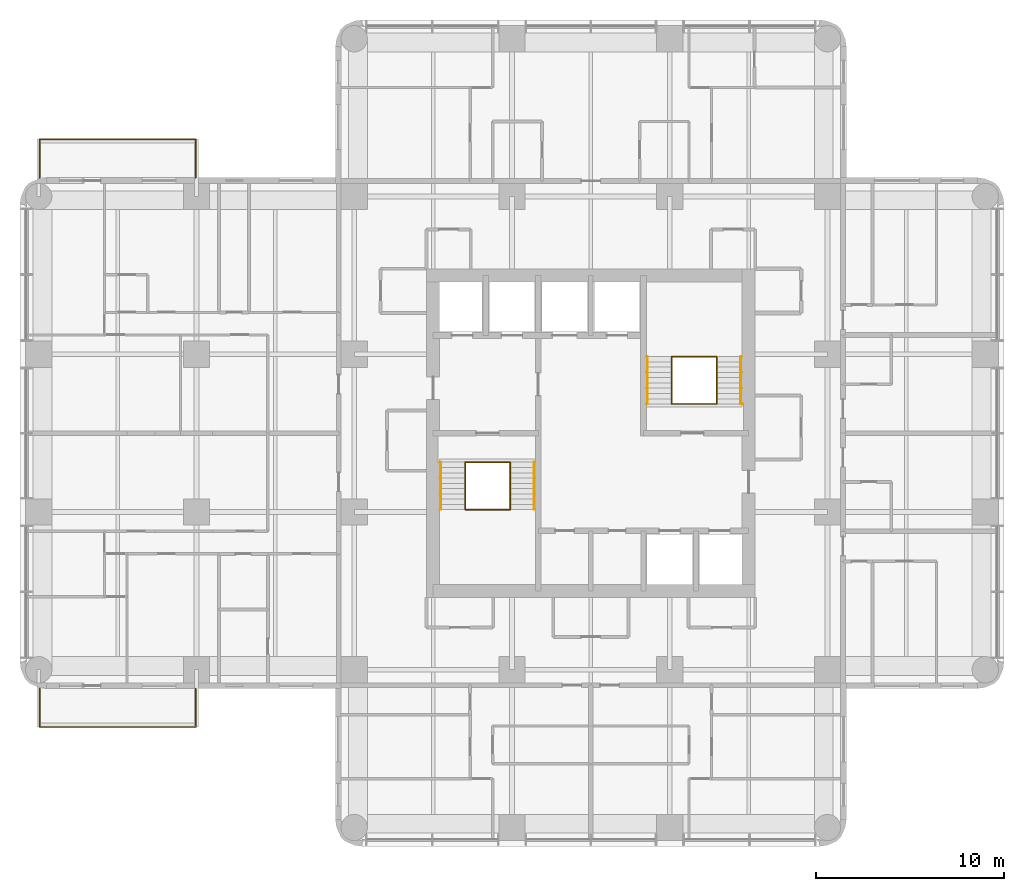
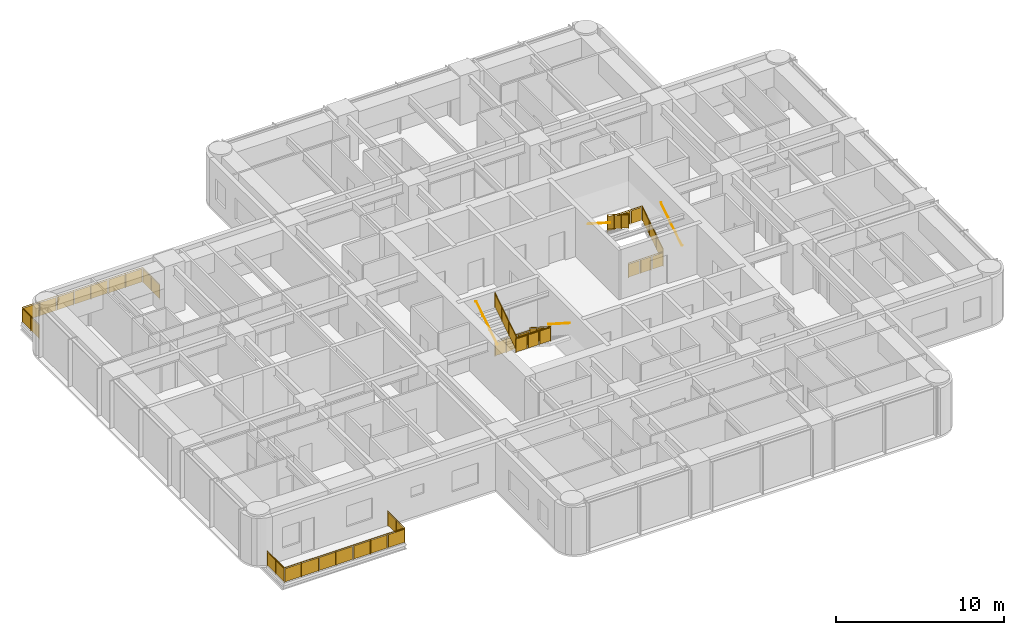
# One storey, part 11 of 11: 14 railings.
"""IFC4 building model written with IfcOpenShell, lengths in metres."""

from ifc_helpers import new_model, si_unit, direction, frame, origin, origin_2d, place, context, subcontext, project, spatial, polyline, circle, outline, extrude, material, constituent, constituent_set, type_object, element, save


model = new_model("IFC4")

# Units and contexts
model_context = context("Model", 3, precision=1e-05, world=origin(), true_north=direction((0.0, 1.0)))
body_context = subcontext(model_context, "Body", "Model", "MODEL_VIEW")
ifc_project = project(units=[si_unit("LENGTHUNIT", "METRE"), si_unit("AREAUNIT", "SQUARE_METRE"), si_unit("VOLUMEUNIT", "CUBIC_METRE"), si_unit("PLANEANGLEUNIT", "RADIAN"), si_unit("MASSUNIT", "GRAM", prefix="KILO")], contexts=[model_context])

# Site, building, storey
site_placement = place(None, origin())
site = spatial("IfcSite", under=ifc_project, at=site_placement, CompositionType="ELEMENT")
building_placement = place(site_placement, origin())
building = spatial("IfcBuilding", under=site, at=building_placement, Name="Torre Alcanfor", CompositionType="ELEMENT")
storey_placement = place(building_placement, frame((0.0, 0.0, 230.10009765625)))
storey = spatial("IfcBuildingStorey", under=building, at=storey_placement, Name="L60", CompositionType="ELEMENT", Elevation=230.10009765625)

# Railings
ifc_material_1 = material(Name="Laminated safety glass", Category="glass")
ifc_constituent_1 = constituent(ifc_material_1, Name="Infill")
ifc_material_2 = material(Name="Stainless steel ASTM A554 Grade MT 316L tube", Category="steel")
ifc_constituent_2 = constituent(ifc_material_2, Name="Posts and rail")
ifc_constituent_set = constituent_set(constituents=[ifc_constituent_1, ifc_constituent_2], Name="Balcony guard glass 1100")
railing_type_1 = type_object("IfcRailingType", Name="Balcony guard glass 1100", PredefinedType="BALUSTRADE", material=ifc_constituent_set)
railing_1_placement = place(storey_placement, frame((8.35009765625, 15.800048828125, 0.0)))
element("IfcRailing", 1, at=railing_1_placement, inside=storey, type_object=railing_type_1, Name="Balcony guard L60-W1", PredefinedType="BALUSTRADE", context=body_context, shape_type="SweptSolid", body=[
    extrude(circle(Radius=0.02392578125, at=origin_2d()), frame((0.0, 0.0, 1.076171875), z_axis=(0.0, -1.0, 0.0), x_axis=(1.0, 0.0, 0.0)), (0.0, 0.0, 1.0), 2.050048828125),
    extrude(circle(Radius=0.02392578125, at=origin_2d()), frame((0.0, -2.050048828125, 1.076171875), z_axis=(-1.0, 0.0, 0.0), x_axis=(0.0, -1.0, 0.0)), (0.0, 0.0, 1.0), 8.300048828125),
    extrude(circle(Radius=0.02392578125, at=origin_2d()), frame((-8.300048828125, -2.050048828125, 1.076171875), z_axis=(0.0, 1.0, 0.0), x_axis=(-1.0, 0.0, 0.0)), (0.0, 0.0, 1.0), 2.050048828125),
    extrude(circle(Radius=0.02099609375, at=origin_2d()), origin(), (0.0, 0.0, 1.0), 1.052001953125),
    extrude(circle(Radius=0.02099609375, at=origin_2d()), frame((0.0, -1.02490234375, 0.0)), (0.0, 0.0, 1.0), 1.052001953125),
    extrude(circle(Radius=0.02099609375, at=origin_2d()), frame((0.0, -2.050048828125, 0.0)), (0.0, 0.0, 1.0), 1.052001953125),
    extrude(circle(Radius=0.02099609375, at=origin_2d()), frame((-1.185791015625, -2.050048828125, 0.0)), (0.0, 0.0, 1.0), 1.052001953125),
    extrude(circle(Radius=0.02099609375, at=origin_2d()), frame((-2.371337890625, -2.050048828125, 0.0)), (0.0, 0.0, 1.0), 1.052001953125),
    extrude(circle(Radius=0.02099609375, at=origin_2d()), frame((-3.55712890625, -2.050048828125, 0.0)), (0.0, 0.0, 1.0), 1.052001953125),
    extrude(circle(Radius=0.02099609375, at=origin_2d()), frame((-4.742919921875, -2.050048828125, 0.0)), (0.0, 0.0, 1.0), 1.052001953125),
    extrude(circle(Radius=0.02099609375, at=origin_2d()), frame((-5.9287109375, -2.050048828125, 0.0)), (0.0, 0.0, 1.0), 1.052001953125),
    extrude(circle(Radius=0.02099609375, at=origin_2d()), frame((-7.1142578125, -2.050048828125, 0.0)), (0.0, 0.0, 1.0), 1.052001953125),
    extrude(circle(Radius=0.02099609375, at=origin_2d()), frame((-8.300048828125, -2.050048828125, 0.0)), (0.0, 0.0, 1.0), 1.052001953125),
    extrude(circle(Radius=0.02099609375, at=origin_2d()), frame((-8.300048828125, -1.02490234375, 0.0)), (0.0, 0.0, 1.0), 1.052001953125),
    extrude(circle(Radius=0.02099609375, at=origin_2d()), frame((-8.300048828125, 0.0, 0.0)), (0.0, 0.0, 1.0), 1.052001953125),
    extrude(outline(polyline([(0.041015625, 0.050048828125), (0.984130859375, 0.050048828125), (0.984130859375, 1.001953125), (0.041015625, 1.001953125), (0.041015625, 0.050048828125)])), frame((0.005859375, 0.0, 0.0), z_axis=(-1.0, 0.0, 0.0), x_axis=(0.0, -1.0, 0.0)), (0.0, 0.0, 1.0), 0.011962890625),
    extrude(outline(polyline([(1.06591796875, 0.050048828125), (2.009033203125, 0.050048828125), (2.009033203125, 1.001953125), (1.06591796875, 1.001953125), (1.06591796875, 0.050048828125)])), frame((0.005859375, 0.0, 0.0), z_axis=(-1.0, 0.0, 0.0), x_axis=(0.0, -1.0, 0.0)), (0.0, 0.0, 1.0), 0.011962890625),
    extrude(outline(polyline([(0.041015625, 0.050048828125), (1.144775390625, 0.050048828125), (1.144775390625, 1.001953125), (0.041015625, 1.001953125), (0.041015625, 0.050048828125)])), frame((0.0, -2.05615234375, 0.0), z_axis=(0.0, 1.0, 0.0), x_axis=(-1.0, 0.0, 0.0)), (0.0, 0.0, 1.0), 0.011962890625),
    extrude(outline(polyline([(1.226806640625, 0.050048828125), (2.330322265625, 0.050048828125), (2.330322265625, 1.001953125), (1.226806640625, 1.001953125), (1.226806640625, 0.050048828125)])), frame((0.0, -2.05615234375, 0.0), z_axis=(0.0, 1.0, 0.0), x_axis=(-1.0, 0.0, 0.0)), (0.0, 0.0, 1.0), 0.011962890625),
    extrude(outline(polyline([(2.412353515625, 0.050048828125), (3.51611328125, 0.050048828125), (3.51611328125, 1.001953125), (2.412353515625, 1.001953125), (2.412353515625, 0.050048828125)])), frame((0.0, -2.05615234375, 0.0), z_axis=(0.0, 1.0, 0.0), x_axis=(-1.0, 0.0, 0.0)), (0.0, 0.0, 1.0), 0.011962890625),
    extrude(outline(polyline([(3.59814453125, 0.050048828125), (4.701904296875, 0.050048828125), (4.701904296875, 1.001953125), (3.59814453125, 1.001953125), (3.59814453125, 0.050048828125)])), frame((0.0, -2.05615234375, 0.0), z_axis=(0.0, 1.0, 0.0), x_axis=(-1.0, 0.0, 0.0)), (0.0, 0.0, 1.0), 0.011962890625),
    extrude(outline(polyline([(4.783935546875, 0.050048828125), (5.8876953125, 0.050048828125), (5.8876953125, 1.001953125), (4.783935546875, 1.001953125), (4.783935546875, 0.050048828125)])), frame((0.0, -2.05615234375, 0.0), z_axis=(0.0, 1.0, 0.0), x_axis=(-1.0, 0.0, 0.0)), (0.0, 0.0, 1.0), 0.011962890625),
    extrude(outline(polyline([(5.9697265625, 0.050048828125), (7.0732421875, 0.050048828125), (7.0732421875, 1.001953125), (5.9697265625, 1.001953125), (5.9697265625, 0.050048828125)])), frame((0.0, -2.05615234375, 0.0), z_axis=(0.0, 1.0, 0.0), x_axis=(-1.0, 0.0, 0.0)), (0.0, 0.0, 1.0), 0.011962890625),
    extrude(outline(polyline([(7.1552734375, 0.050048828125), (8.259033203125, 0.050048828125), (8.259033203125, 1.001953125), (7.1552734375, 1.001953125), (7.1552734375, 0.050048828125)])), frame((0.0, -2.05615234375, 0.0), z_axis=(0.0, 1.0, 0.0), x_axis=(-1.0, 0.0, 0.0)), (0.0, 0.0, 1.0), 0.011962890625),
    extrude(outline(polyline([(0.041015625, 0.050048828125), (0.984130859375, 0.050048828125), (0.984130859375, 1.001953125), (0.041015625, 1.001953125), (0.041015625, 0.050048828125)])), frame((-8.30615234375, -2.050048828125, 0.0), z_axis=(1.0, 0.0, 0.0), x_axis=(0.0, 1.0, 0.0)), (0.0, 0.0, 1.0), 0.011962890625),
    extrude(outline(polyline([(1.06591796875, 0.050048828125), (2.009033203125, 0.050048828125), (2.009033203125, 1.001953125), (1.06591796875, 1.001953125), (1.06591796875, 0.050048828125)])), frame((-8.30615234375, -2.050048828125, 0.0), z_axis=(1.0, 0.0, 0.0), x_axis=(0.0, 1.0, 0.0)), (0.0, 0.0, 1.0), 0.011962890625),
])
railing_2_placement = place(storey_placement, frame((8.35009765625, 43.0, 0.0)))
element("IfcRailing", 2, at=railing_2_placement, inside=storey, type_object=railing_type_1, Name="Balcony guard L60-W2", PredefinedType="BALUSTRADE", context=body_context, shape_type="SweptSolid", body=[
    extrude(circle(Radius=0.02392578125, at=origin_2d()), frame((0.0, 0.0, 1.076171875), z_axis=(0.0, 1.0, 0.0), x_axis=(-1.0, 0.0, 0.0)), (0.0, 0.0, 1.0), 2.050048828125),
    extrude(circle(Radius=0.02392578125, at=origin_2d()), frame((0.0, 2.050048828125, 1.076171875), z_axis=(-1.0, 0.0, 0.0), x_axis=(0.0, -1.0, 0.0)), (0.0, 0.0, 1.0), 8.300048828125),
    extrude(circle(Radius=0.02392578125, at=origin_2d()), frame((-8.300048828125, 2.050048828125, 1.076171875), z_axis=(0.0, -1.0, 0.0), x_axis=(1.0, 0.0, 0.0)), (0.0, 0.0, 1.0), 2.050048828125),
    extrude(circle(Radius=0.02099609375, at=origin_2d()), origin(), (0.0, 0.0, 1.0), 1.052001953125),
    extrude(circle(Radius=0.02099609375, at=origin_2d()), frame((0.0, 1.02490234375, 0.0)), (0.0, 0.0, 1.0), 1.052001953125),
    extrude(circle(Radius=0.02099609375, at=origin_2d()), frame((0.0, 2.050048828125, 0.0)), (0.0, 0.0, 1.0), 1.052001953125),
    extrude(circle(Radius=0.02099609375, at=origin_2d()), frame((-1.185791015625, 2.050048828125, 0.0)), (0.0, 0.0, 1.0), 1.052001953125),
    extrude(circle(Radius=0.02099609375, at=origin_2d()), frame((-2.371337890625, 2.050048828125, 0.0)), (0.0, 0.0, 1.0), 1.052001953125),
    extrude(circle(Radius=0.02099609375, at=origin_2d()), frame((-3.55712890625, 2.050048828125, 0.0)), (0.0, 0.0, 1.0), 1.052001953125),
    extrude(circle(Radius=0.02099609375, at=origin_2d()), frame((-4.742919921875, 2.050048828125, 0.0)), (0.0, 0.0, 1.0), 1.052001953125),
    extrude(circle(Radius=0.02099609375, at=origin_2d()), frame((-5.9287109375, 2.050048828125, 0.0)), (0.0, 0.0, 1.0), 1.052001953125),
    extrude(circle(Radius=0.02099609375, at=origin_2d()), frame((-7.1142578125, 2.050048828125, 0.0)), (0.0, 0.0, 1.0), 1.052001953125),
    extrude(circle(Radius=0.02099609375, at=origin_2d()), frame((-8.300048828125, 2.050048828125, 0.0)), (0.0, 0.0, 1.0), 1.052001953125),
    extrude(circle(Radius=0.02099609375, at=origin_2d()), frame((-8.300048828125, 1.02490234375, 0.0)), (0.0, 0.0, 1.0), 1.052001953125),
    extrude(circle(Radius=0.02099609375, at=origin_2d()), frame((-8.300048828125, 0.0, 0.0)), (0.0, 0.0, 1.0), 1.052001953125),
    extrude(outline(polyline([(0.041015625, 0.050048828125), (0.984130859375, 0.050048828125), (0.984130859375, 1.001953125), (0.041015625, 1.001953125), (0.041015625, 0.050048828125)])), frame((-0.005859375, 0.0, 0.0), z_axis=(1.0, 0.0, 0.0), x_axis=(0.0, 1.0, 0.0)), (0.0, 0.0, 1.0), 0.011962890625),
    extrude(outline(polyline([(1.06591796875, 0.050048828125), (2.009033203125, 0.050048828125), (2.009033203125, 1.001953125), (1.06591796875, 1.001953125), (1.06591796875, 0.050048828125)])), frame((-0.005859375, 0.0, 0.0), z_axis=(1.0, 0.0, 0.0), x_axis=(0.0, 1.0, 0.0)), (0.0, 0.0, 1.0), 0.011962890625),
    extrude(outline(polyline([(0.041015625, 0.050048828125), (1.144775390625, 0.050048828125), (1.144775390625, 1.001953125), (0.041015625, 1.001953125), (0.041015625, 0.050048828125)])), frame((0.0, 2.0439453125, 0.0), z_axis=(0.0, 1.0, 0.0), x_axis=(-1.0, 0.0, 0.0)), (0.0, 0.0, 1.0), 0.011962890625),
    extrude(outline(polyline([(1.226806640625, 0.050048828125), (2.330322265625, 0.050048828125), (2.330322265625, 1.001953125), (1.226806640625, 1.001953125), (1.226806640625, 0.050048828125)])), frame((0.0, 2.0439453125, 0.0), z_axis=(0.0, 1.0, 0.0), x_axis=(-1.0, 0.0, 0.0)), (0.0, 0.0, 1.0), 0.011962890625),
    extrude(outline(polyline([(2.412353515625, 0.050048828125), (3.51611328125, 0.050048828125), (3.51611328125, 1.001953125), (2.412353515625, 1.001953125), (2.412353515625, 0.050048828125)])), frame((0.0, 2.0439453125, 0.0), z_axis=(0.0, 1.0, 0.0), x_axis=(-1.0, 0.0, 0.0)), (0.0, 0.0, 1.0), 0.011962890625),
    extrude(outline(polyline([(3.59814453125, 0.050048828125), (4.701904296875, 0.050048828125), (4.701904296875, 1.001953125), (3.59814453125, 1.001953125), (3.59814453125, 0.050048828125)])), frame((0.0, 2.0439453125, 0.0), z_axis=(0.0, 1.0, 0.0), x_axis=(-1.0, 0.0, 0.0)), (0.0, 0.0, 1.0), 0.011962890625),
    extrude(outline(polyline([(4.783935546875, 0.050048828125), (5.8876953125, 0.050048828125), (5.8876953125, 1.001953125), (4.783935546875, 1.001953125), (4.783935546875, 0.050048828125)])), frame((0.0, 2.0439453125, 0.0), z_axis=(0.0, 1.0, 0.0), x_axis=(-1.0, 0.0, 0.0)), (0.0, 0.0, 1.0), 0.011962890625),
    extrude(outline(polyline([(5.9697265625, 0.050048828125), (7.0732421875, 0.050048828125), (7.0732421875, 1.001953125), (5.9697265625, 1.001953125), (5.9697265625, 0.050048828125)])), frame((0.0, 2.0439453125, 0.0), z_axis=(0.0, 1.0, 0.0), x_axis=(-1.0, 0.0, 0.0)), (0.0, 0.0, 1.0), 0.011962890625),
    extrude(outline(polyline([(7.1552734375, 0.050048828125), (8.259033203125, 0.050048828125), (8.259033203125, 1.001953125), (7.1552734375, 1.001953125), (7.1552734375, 0.050048828125)])), frame((0.0, 2.0439453125, 0.0), z_axis=(0.0, 1.0, 0.0), x_axis=(-1.0, 0.0, 0.0)), (0.0, 0.0, 1.0), 0.011962890625),
    extrude(outline(polyline([(0.041015625, 0.050048828125), (0.984130859375, 0.050048828125), (0.984130859375, 1.001953125), (0.041015625, 1.001953125), (0.041015625, 0.050048828125)])), frame((-8.2939453125, 2.050048828125, 0.0), z_axis=(-1.0, 0.0, 0.0), x_axis=(0.0, -1.0, 0.0)), (0.0, 0.0, 1.0), 0.011962890625),
    extrude(outline(polyline([(1.06591796875, 0.050048828125), (2.009033203125, 0.050048828125), (2.009033203125, 1.001953125), (1.06591796875, 1.001953125), (1.06591796875, 0.050048828125)])), frame((-8.2939453125, 2.050048828125, 0.0), z_axis=(-1.0, 0.0, 0.0), x_axis=(0.0, -1.0, 0.0)), (0.0, 0.0, 1.0), 0.011962890625),
])
ifc_material_3 = material(Name="Steel ASTM A500 Grade C hollow sections", Category="steel")
railing_type_2 = type_object("IfcRailingType", Name="Stair guard and handrail 1100", PredefinedType="GUARDRAIL", material=ifc_material_3)
railing_3_placement = place(storey_placement, frame((25.10009765625, 27.85009765625, 0.179931640625)))
element("IfcRailing", 3, at=railing_3_placement, inside=storey, type_object=railing_type_2, Name="Stair guard S1 L60 flight 1", PredefinedType="GUARDRAIL", context=body_context, shape_type="SweptSolid", body=[
    extrude(circle(Radius=0.02392578125, at=origin_2d()), frame((0.0, 0.0, 1.076171875), z_axis=(0.0, -0.841199657755, 0.540724639528), x_axis=(1.0, 0.0, 0.0)), (0.0, 0.0, 1.0), 2.995849609375),
    extrude(circle(Radius=0.02099609375, at=origin_2d()), origin(), (0.0, 0.0, 1.0), 1.052001953125),
    extrude(circle(Radius=0.02099609375, at=origin_2d()), frame((0.0, -0.840087890625, 0.5400390625)), (0.0, 0.0, 1.0), 1.052001953125),
    extrude(circle(Radius=0.02099609375, at=origin_2d()), frame((0.0, -1.679931640625, 1.079833984375)), (0.0, 0.0, 1.0), 1.052001953125),
    extrude(circle(Radius=0.02099609375, at=origin_2d()), frame((0.0, -2.52001953125, 1.619873046875)), (0.0, 0.0, 1.0), 1.052001953125),
    extrude(outline(polyline([(0.041015625, 0.076416015625), (0.799072265625, 0.563720703125), (0.799072265625, 1.515625), (0.041015625, 1.0283203125), (0.041015625, 0.076416015625)])), frame((0.005859375, 0.0, 0.0), z_axis=(-1.0, 0.0, 0.0), x_axis=(0.0, -1.0, 0.0)), (0.0, 0.0, 1.0), 0.011962890625),
    extrude(outline(polyline([(0.881103515625, 0.6162109375), (1.638916015625, 1.103515625), (1.638916015625, 2.0556640625), (0.881103515625, 1.568359375), (0.881103515625, 0.6162109375)])), frame((0.005859375, 0.0, 0.0), z_axis=(-1.0, 0.0, 0.0), x_axis=(0.0, -1.0, 0.0)), (0.0, 0.0, 1.0), 0.011962890625),
    extrude(outline(polyline([(1.720947265625, 1.15625), (2.47900390625, 1.6435546875), (2.47900390625, 2.595458984375), (1.720947265625, 2.108154296875), (1.720947265625, 1.15625)])), frame((0.005859375, 0.0, 0.0), z_axis=(-1.0, 0.0, 0.0), x_axis=(0.0, -1.0, 0.0)), (0.0, 0.0, 1.0), 0.011962890625),
])
railing_4_placement = place(storey_placement, frame((22.699951171875, 25.330078125, 1.97998046875)))
element("IfcRailing", 4, at=railing_4_placement, inside=storey, type_object=railing_type_2, Name="Stair guard S1 L60 flight 2", PredefinedType="GUARDRAIL", context=body_context, shape_type="SweptSolid", body=[
    extrude(circle(Radius=0.02392578125, at=origin_2d()), frame((0.0, 0.0, 1.076171875), z_axis=(0.0, 0.841199657755, 0.540724639528), x_axis=(-1.0, 0.0, 0.0)), (0.0, 0.0, 1.0), 2.995849609375),
    extrude(circle(Radius=0.02099609375, at=origin_2d()), origin(), (0.0, 0.0, 1.0), 1.052001953125),
    extrude(circle(Radius=0.02099609375, at=origin_2d()), frame((0.0, 0.840087890625, 0.5400390625)), (0.0, 0.0, 1.0), 1.052001953125),
    extrude(circle(Radius=0.02099609375, at=origin_2d()), frame((0.0, 1.679931640625, 1.079833984375)), (0.0, 0.0, 1.0), 1.052001953125),
    extrude(circle(Radius=0.02099609375, at=origin_2d()), frame((0.0, 2.52001953125, 1.619873046875)), (0.0, 0.0, 1.0), 1.052001953125),
    extrude(outline(polyline([(0.041015625, 0.076416015625), (0.799072265625, 0.563720703125), (0.799072265625, 1.515625), (0.041015625, 1.0283203125), (0.041015625, 0.076416015625)])), frame((-0.005859375, 0.0, 0.0), z_axis=(1.0, 0.0, 0.0), x_axis=(0.0, 1.0, 0.0)), (0.0, 0.0, 1.0), 0.011962890625),
    extrude(outline(polyline([(0.881103515625, 0.6162109375), (1.638916015625, 1.103515625), (1.638916015625, 2.0556640625), (0.881103515625, 1.568359375), (0.881103515625, 0.6162109375)])), frame((-0.005859375, 0.0, 0.0), z_axis=(1.0, 0.0, 0.0), x_axis=(0.0, 1.0, 0.0)), (0.0, 0.0, 1.0), 0.011962890625),
    extrude(outline(polyline([(1.720947265625, 1.15625), (2.47900390625, 1.6435546875), (2.47900390625, 2.595458984375), (1.720947265625, 2.108154296875), (1.720947265625, 1.15625)])), frame((-0.005859375, 0.0, 0.0), z_axis=(1.0, 0.0, 0.0), x_axis=(0.0, 1.0, 0.0)), (0.0, 0.0, 1.0), 0.011962890625),
])
for number, where, name in (
    (5, (22.699951171875, 27.85009765625, 0.0), "Stair well guard S1 L60 floor landing"),
    (6, (22.699951171875, 25.330078125, 1.7998046875), "Stair well guard S1 L60 half landing"),
):
    element("IfcRailing", number, at=place(storey_placement, frame(where)), inside=storey, type_object=railing_type_2, Name=name, PredefinedType="GUARDRAIL", context=body_context, shape_type="SweptSolid", body=[
        extrude(circle(Radius=0.02392578125, at=origin_2d()), frame((0.0, 0.0, 1.076171875), z_axis=(1.0, 0.0, 0.0), x_axis=(0.0, 1.0, 0.0)), (0.0, 0.0, 1.0), 2.400146484375),
        extrude(circle(Radius=0.02099609375, at=origin_2d()), origin(), (0.0, 0.0, 1.0), 1.052001953125),
        extrude(circle(Radius=0.02099609375, at=origin_2d()), frame((0.800048828125, 0.0, 0.0)), (0.0, 0.0, 1.0), 1.052001953125),
        extrude(circle(Radius=0.02099609375, at=origin_2d()), frame((1.60009765625, 0.0, 0.0)), (0.0, 0.0, 1.0), 1.052001953125),
        extrude(circle(Radius=0.02099609375, at=origin_2d()), frame((2.400146484375, 0.0, 0.0)), (0.0, 0.0, 1.0), 1.052001953125),
        extrude(outline(polyline([(0.041015625, 0.050048828125), (0.759033203125, 0.050048828125), (0.759033203125, 1.001953125), (0.041015625, 1.001953125), (0.041015625, 0.050048828125)])), frame((0.0, 0.005859375, 0.0), z_axis=(0.0, -1.0, 0.0), x_axis=(1.0, 0.0, 0.0)), (0.0, 0.0, 1.0), 0.011962890625),
        extrude(outline(polyline([(0.841064453125, 0.050048828125), (1.55908203125, 0.050048828125), (1.55908203125, 1.001953125), (0.841064453125, 1.001953125), (0.841064453125, 0.050048828125)])), frame((0.0, 0.005859375, 0.0), z_axis=(0.0, -1.0, 0.0), x_axis=(1.0, 0.0, 0.0)), (0.0, 0.0, 1.0), 0.011962890625),
        extrude(outline(polyline([(1.64111328125, 0.050048828125), (2.359130859375, 0.050048828125), (2.359130859375, 1.001953125), (1.64111328125, 1.001953125), (1.64111328125, 0.050048828125)])), frame((0.0, 0.005859375, 0.0), z_axis=(0.0, -1.0, 0.0), x_axis=(1.0, 0.0, 0.0)), (0.0, 0.0, 1.0), 0.011962890625),
    ])
railing_5_placement = place(storey_placement, frame((36.10009765625, 30.949951171875, 0.179931640625)))
element("IfcRailing", 7, at=railing_5_placement, inside=storey, type_object=railing_type_2, Name="Stair guard S2 L60 flight 1", PredefinedType="GUARDRAIL", context=body_context, shape_type="SweptSolid", body=[
    extrude(circle(Radius=0.02392578125, at=origin_2d()), frame((0.0, 0.0, 1.076171875), z_axis=(0.0, 0.841199657755, 0.540724639528), x_axis=(-1.0, 0.0, 0.0)), (0.0, 0.0, 1.0), 2.995849609375),
    extrude(circle(Radius=0.02099609375, at=origin_2d()), origin(), (0.0, 0.0, 1.0), 1.052001953125),
    extrude(circle(Radius=0.02099609375, at=origin_2d()), frame((0.0, 0.840087890625, 0.5400390625)), (0.0, 0.0, 1.0), 1.052001953125),
    extrude(circle(Radius=0.02099609375, at=origin_2d()), frame((0.0, 1.679931640625, 1.079833984375)), (0.0, 0.0, 1.0), 1.052001953125),
    extrude(circle(Radius=0.02099609375, at=origin_2d()), frame((0.0, 2.52001953125, 1.619873046875)), (0.0, 0.0, 1.0), 1.052001953125),
    extrude(outline(polyline([(0.041015625, 0.076416015625), (0.799072265625, 0.563720703125), (0.799072265625, 1.515625), (0.041015625, 1.0283203125), (0.041015625, 0.076416015625)])), frame((-0.005859375, 0.0, 0.0), z_axis=(1.0, 0.0, 0.0), x_axis=(0.0, 1.0, 0.0)), (0.0, 0.0, 1.0), 0.011962890625),
    extrude(outline(polyline([(0.881103515625, 0.6162109375), (1.638916015625, 1.103515625), (1.638916015625, 2.0556640625), (0.881103515625, 1.568359375), (0.881103515625, 0.6162109375)])), frame((-0.005859375, 0.0, 0.0), z_axis=(1.0, 0.0, 0.0), x_axis=(0.0, 1.0, 0.0)), (0.0, 0.0, 1.0), 0.011962890625),
    extrude(outline(polyline([(1.720947265625, 1.15625), (2.47900390625, 1.6435546875), (2.47900390625, 2.595458984375), (1.720947265625, 2.108154296875), (1.720947265625, 1.15625)])), frame((-0.005859375, 0.0, 0.0), z_axis=(1.0, 0.0, 0.0), x_axis=(0.0, 1.0, 0.0)), (0.0, 0.0, 1.0), 0.011962890625),
])
railing_6_placement = place(storey_placement, frame((33.699951171875, 33.469970703125, 1.97998046875)))
element("IfcRailing", 8, at=railing_6_placement, inside=storey, type_object=railing_type_2, Name="Stair guard S2 L60 flight 2", PredefinedType="GUARDRAIL", context=body_context, shape_type="SweptSolid", body=[
    extrude(circle(Radius=0.02392578125, at=origin_2d()), frame((0.0, 0.0, 1.076171875), z_axis=(0.0, -0.841199657755, 0.540724639528), x_axis=(1.0, 0.0, 0.0)), (0.0, 0.0, 1.0), 2.995849609375),
    extrude(circle(Radius=0.02099609375, at=origin_2d()), origin(), (0.0, 0.0, 1.0), 1.052001953125),
    extrude(circle(Radius=0.02099609375, at=origin_2d()), frame((0.0, -0.840087890625, 0.5400390625)), (0.0, 0.0, 1.0), 1.052001953125),
    extrude(circle(Radius=0.02099609375, at=origin_2d()), frame((0.0, -1.679931640625, 1.079833984375)), (0.0, 0.0, 1.0), 1.052001953125),
    extrude(circle(Radius=0.02099609375, at=origin_2d()), frame((0.0, -2.52001953125, 1.619873046875)), (0.0, 0.0, 1.0), 1.052001953125),
    extrude(outline(polyline([(0.041015625, 0.076416015625), (0.799072265625, 0.563720703125), (0.799072265625, 1.515625), (0.041015625, 1.0283203125), (0.041015625, 0.076416015625)])), frame((0.005859375, 0.0, 0.0), z_axis=(-1.0, 0.0, 0.0), x_axis=(0.0, -1.0, 0.0)), (0.0, 0.0, 1.0), 0.011962890625),
    extrude(outline(polyline([(0.881103515625, 0.6162109375), (1.638916015625, 1.103515625), (1.638916015625, 2.0556640625), (0.881103515625, 1.568359375), (0.881103515625, 0.6162109375)])), frame((0.005859375, 0.0, 0.0), z_axis=(-1.0, 0.0, 0.0), x_axis=(0.0, -1.0, 0.0)), (0.0, 0.0, 1.0), 0.011962890625),
    extrude(outline(polyline([(1.720947265625, 1.15625), (2.47900390625, 1.6435546875), (2.47900390625, 2.595458984375), (1.720947265625, 2.108154296875), (1.720947265625, 1.15625)])), frame((0.005859375, 0.0, 0.0), z_axis=(-1.0, 0.0, 0.0), x_axis=(0.0, -1.0, 0.0)), (0.0, 0.0, 1.0), 0.011962890625),
])
for number, where, name in (
    (9, (33.699951171875, 30.949951171875, 0.0), "Stair well guard S2 L60 floor landing"),
    (10, (33.699951171875, 33.469970703125, 1.7998046875), "Stair well guard S2 L60 half landing"),
):
    element("IfcRailing", number, at=place(storey_placement, frame(where)), inside=storey, type_object=railing_type_2, Name=name, PredefinedType="GUARDRAIL", context=body_context, shape_type="SweptSolid", body=[
        extrude(circle(Radius=0.02392578125, at=origin_2d()), frame((0.0, 0.0, 1.076171875), z_axis=(1.0, 0.0, 0.0), x_axis=(0.0, 1.0, 0.0)), (0.0, 0.0, 1.0), 2.400146484375),
        extrude(circle(Radius=0.02099609375, at=origin_2d()), origin(), (0.0, 0.0, 1.0), 1.052001953125),
        extrude(circle(Radius=0.02099609375, at=origin_2d()), frame((0.800048828125, 0.0, 0.0)), (0.0, 0.0, 1.0), 1.052001953125),
        extrude(circle(Radius=0.02099609375, at=origin_2d()), frame((1.60009765625, 0.0, 0.0)), (0.0, 0.0, 1.0), 1.052001953125),
        extrude(circle(Radius=0.02099609375, at=origin_2d()), frame((2.400146484375, 0.0, 0.0)), (0.0, 0.0, 1.0), 1.052001953125),
        extrude(outline(polyline([(0.041015625, 0.050048828125), (0.759033203125, 0.050048828125), (0.759033203125, 1.001953125), (0.041015625, 1.001953125), (0.041015625, 0.050048828125)])), frame((0.0, 0.005859375, 0.0), z_axis=(0.0, -1.0, 0.0), x_axis=(1.0, 0.0, 0.0)), (0.0, 0.0, 1.0), 0.011962890625),
        extrude(outline(polyline([(0.841064453125, 0.050048828125), (1.55908203125, 0.050048828125), (1.55908203125, 1.001953125), (0.841064453125, 1.001953125), (0.841064453125, 0.050048828125)])), frame((0.0, 0.005859375, 0.0), z_axis=(0.0, -1.0, 0.0), x_axis=(1.0, 0.0, 0.0)), (0.0, 0.0, 1.0), 0.011962890625),
        extrude(outline(polyline([(1.64111328125, 0.050048828125), (2.359130859375, 0.050048828125), (2.359130859375, 1.001953125), (1.64111328125, 1.001953125), (1.64111328125, 0.050048828125)])), frame((0.0, 0.005859375, 0.0), z_axis=(0.0, -1.0, 0.0), x_axis=(1.0, 0.0, 0.0)), (0.0, 0.0, 1.0), 0.011962890625),
    ])
ifc_material_4 = material(Name="Steel ASTM A500 Grade C hollow sections", Category="steel")
railing_type_3 = type_object("IfcRailingType", Name="Stair wall handrail 900", PredefinedType="HANDRAIL", material=ifc_material_4)
railing_7_placement = place(storey_placement, frame((26.385009765625, 27.85009765625, 0.179931640625)))
element("IfcRailing", 11, at=railing_7_placement, inside=storey, type_object=railing_type_3, Name="Stair handrail S1 L60 flight 1", PredefinedType="HANDRAIL", context=body_context, shape_type="SweptSolid", body=[
    extrude(circle(Radius=0.02392578125, at=origin_2d()), frame((0.0, 0.0, 0.8759765625), z_axis=(0.0, -0.841199657755, 0.540724639528), x_axis=(1.0, 0.0, 0.0)), (0.0, 0.0, 1.0), 2.995849609375),
    extrude(circle(Radius=0.008056640625, at=origin_2d()), frame((0.0, 0.0, 0.8759765625), z_axis=(1.0, 0.0, 0.0), x_axis=(0.0, 0.0, 1.0)), (0.0, 0.0, 1.0), 0.06494140625),
    extrude(circle(Radius=0.008056640625, at=origin_2d()), frame((0.0, -0.840087890625, 1.415771484375), z_axis=(1.0, 0.0, 0.0), x_axis=(0.0, 0.0, 1.0)), (0.0, 0.0, 1.0), 0.06494140625),
    extrude(circle(Radius=0.008056640625, at=origin_2d()), frame((0.0, -1.679931640625, 1.955810546875), z_axis=(1.0, 0.0, 0.0), x_axis=(0.0, 0.0, 1.0)), (0.0, 0.0, 1.0), 0.06494140625),
    extrude(circle(Radius=0.008056640625, at=origin_2d()), frame((0.0, -2.52001953125, 2.49560546875), z_axis=(1.0, 0.0, 0.0), x_axis=(0.0, 0.0, 1.0)), (0.0, 0.0, 1.0), 0.06494140625),
])
railing_8_placement = place(storey_placement, frame((21.4150390625, 25.330078125, 1.97998046875)))
element("IfcRailing", 12, at=railing_8_placement, inside=storey, type_object=railing_type_3, Name="Stair handrail S1 L60 flight 2", PredefinedType="HANDRAIL", context=body_context, shape_type="SweptSolid", body=[
    extrude(circle(Radius=0.02392578125, at=origin_2d()), frame((0.0, 0.0, 0.8759765625), z_axis=(0.0, 0.841199657755, 0.540724639528), x_axis=(-1.0, 0.0, 0.0)), (0.0, 0.0, 1.0), 2.995849609375),
    extrude(circle(Radius=0.008056640625, at=origin_2d()), frame((0.0, 0.0, 0.8759765625), z_axis=(-1.0, 0.0, 0.0), x_axis=(0.0, 0.0, 1.0)), (0.0, 0.0, 1.0), 0.06494140625),
    extrude(circle(Radius=0.008056640625, at=origin_2d()), frame((0.0, 0.840087890625, 1.415771484375), z_axis=(-1.0, 0.0, 0.0), x_axis=(0.0, 0.0, 1.0)), (0.0, 0.0, 1.0), 0.06494140625),
    extrude(circle(Radius=0.008056640625, at=origin_2d()), frame((0.0, 1.679931640625, 1.955810546875), z_axis=(-1.0, 0.0, 0.0), x_axis=(0.0, 0.0, 1.0)), (0.0, 0.0, 1.0), 0.06494140625),
    extrude(circle(Radius=0.008056640625, at=origin_2d()), frame((0.0, 2.52001953125, 2.49560546875), z_axis=(-1.0, 0.0, 0.0), x_axis=(0.0, 0.0, 1.0)), (0.0, 0.0, 1.0), 0.06494140625),
])
railing_9_placement = place(storey_placement, frame((37.385009765625, 30.949951171875, 0.179931640625)))
element("IfcRailing", 13, at=railing_9_placement, inside=storey, type_object=railing_type_3, Name="Stair handrail S2 L60 flight 1", PredefinedType="HANDRAIL", context=body_context, shape_type="SweptSolid", body=[
    extrude(circle(Radius=0.02392578125, at=origin_2d()), frame((0.0, 0.0, 0.8759765625), z_axis=(0.0, 0.841199657755, 0.540724639528), x_axis=(-1.0, 0.0, 0.0)), (0.0, 0.0, 1.0), 2.995849609375),
    extrude(circle(Radius=0.008056640625, at=origin_2d()), frame((0.0, 0.0, 0.8759765625), z_axis=(1.0, 0.0, 0.0), x_axis=(0.0, 0.0, 1.0)), (0.0, 0.0, 1.0), 0.06494140625),
    extrude(circle(Radius=0.008056640625, at=origin_2d()), frame((0.0, 0.840087890625, 1.415771484375), z_axis=(1.0, 0.0, 0.0), x_axis=(0.0, 0.0, 1.0)), (0.0, 0.0, 1.0), 0.06494140625),
    extrude(circle(Radius=0.008056640625, at=origin_2d()), frame((0.0, 1.679931640625, 1.955810546875), z_axis=(1.0, 0.0, 0.0), x_axis=(0.0, 0.0, 1.0)), (0.0, 0.0, 1.0), 0.06494140625),
    extrude(circle(Radius=0.008056640625, at=origin_2d()), frame((0.0, 2.52001953125, 2.49560546875), z_axis=(1.0, 0.0, 0.0), x_axis=(0.0, 0.0, 1.0)), (0.0, 0.0, 1.0), 0.06494140625),
])
railing_10_placement = place(storey_placement, frame((32.4150390625, 33.469970703125, 1.97998046875)))
element("IfcRailing", 14, at=railing_10_placement, inside=storey, type_object=railing_type_3, Name="Stair handrail S2 L60 flight 2", PredefinedType="HANDRAIL", context=body_context, shape_type="SweptSolid", body=[
    extrude(circle(Radius=0.02392578125, at=origin_2d()), frame((0.0, 0.0, 0.8759765625), z_axis=(0.0, -0.841199657755, 0.540724639528), x_axis=(1.0, 0.0, 0.0)), (0.0, 0.0, 1.0), 2.995849609375),
    extrude(circle(Radius=0.008056640625, at=origin_2d()), frame((0.0, 0.0, 0.8759765625), z_axis=(-1.0, 0.0, 0.0), x_axis=(0.0, 0.0, 1.0)), (0.0, 0.0, 1.0), 0.06494140625),
    extrude(circle(Radius=0.008056640625, at=origin_2d()), frame((0.0, -0.840087890625, 1.415771484375), z_axis=(-1.0, 0.0, 0.0), x_axis=(0.0, 0.0, 1.0)), (0.0, 0.0, 1.0), 0.06494140625),
    extrude(circle(Radius=0.008056640625, at=origin_2d()), frame((0.0, -1.679931640625, 1.955810546875), z_axis=(-1.0, 0.0, 0.0), x_axis=(0.0, 0.0, 1.0)), (0.0, 0.0, 1.0), 0.06494140625),
    extrude(circle(Radius=0.008056640625, at=origin_2d()), frame((0.0, -2.52001953125, 2.49560546875), z_axis=(-1.0, 0.0, 0.0), x_axis=(0.0, 0.0, 1.0)), (0.0, 0.0, 1.0), 0.06494140625),
])

save(model, "model.ifc")
